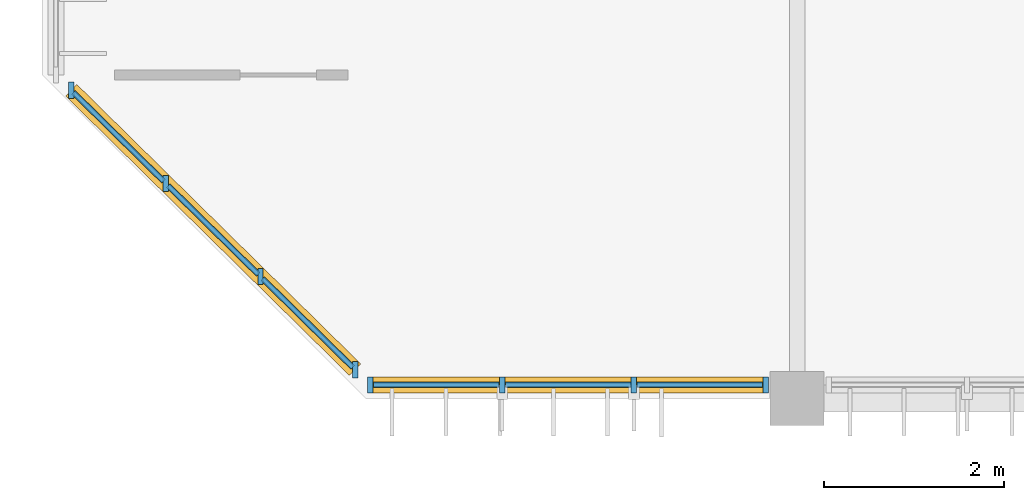
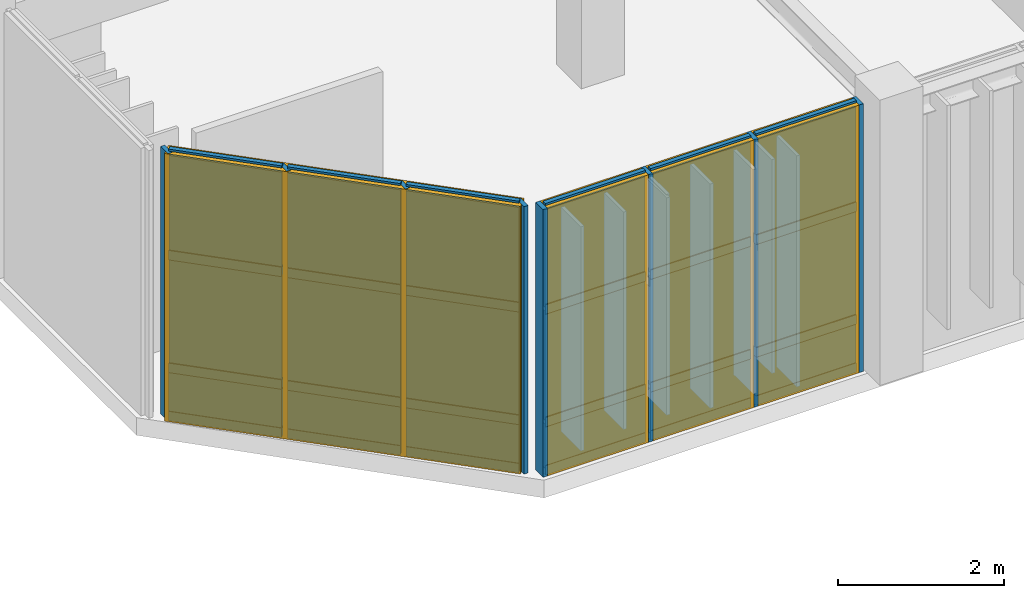
# One storey, part 66 of 122: 32 members, 18 plates, 2 curtain walls.
"""IFC4 building model written with IfcOpenShell, lengths in metres."""

from ifc_helpers import new_model, si_unit, direction, frame, frame_2d, origin, origin_2d, place, context, subcontext, project, spatial, rectangle, extrude, material, layer, layer_set, material_profile, profile_set, type_object, element, aggregate, save


model = new_model("IFC4")

# Units and contexts
model_context = context("Model", 3, precision=1e-05, world=origin(), true_north=direction((0.0, 1.0)))
body_context = subcontext(model_context, "Body", "Model", "MODEL_VIEW")
ifc_project = project(units=[si_unit("LENGTHUNIT", "METRE"), si_unit("AREAUNIT", "SQUARE_METRE"), si_unit("VOLUMEUNIT", "CUBIC_METRE"), si_unit("PLANEANGLEUNIT", "RADIAN"), si_unit("MASSUNIT", "GRAM", prefix="KILO")], contexts=[model_context])

# Member
ifc_material_1 = material(Name="Anodised Bronze Aluminium 6063-T6", Category="aluminium")
ifc_material_profile_1 = material_profile(ifc_material_1, rectangle(XDim=0.06005859375, YDim=0.179931640625, at=origin_2d()), Name="ALU MULLION 60x180")
ifc_profile_set_1 = profile_set([ifc_material_profile_1], Name="Anodised Bronze Aluminium 6063-T6")
member_type_1 = type_object("IfcMemberType", Name="Curtain-Wall Primary Mullion 60x180", PredefinedType="MULLION", material=ifc_profile_set_1)
site_placement = place(None, origin())
building_placement = place(site_placement, origin())
storey_placement = place(building_placement, frame((0.0, 0.0, 4.800048828125)))
member_1_placement = place(storey_placement, frame((6.050048828125, 44.75, 0.0), z_axis=(0.0, 0.0, 1.0), x_axis=(1.0, 0.0, 0.0)))
member_1 = element("IfcMember", 1, at=member_1_placement, type_object=member_type_1, Name="Mullion CWM-01 CW-V6-S-L01-B1-M01", PredefinedType="MULLION", context=body_context, shape_type="SweptSolid", body=[
    extrude(rectangle(XDim=0.06005859375, YDim=0.179931640625, at=origin_2d()), origin(), (0.0, 0.0, 1.0), 3.93994140625),
])

member_2_placement = place(storey_placement, frame((7.5166015625, 44.75, 0.0), z_axis=(0.0, 0.0, 1.0), x_axis=(1.0, 0.0, 0.0)))
member_2 = element("IfcMember", 2, at=member_2_placement, type_object=member_type_1, Name="Mullion CWM-01 CW-V6-S-L01-B1-M02", PredefinedType="MULLION", context=body_context, shape_type="SweptSolid", body=[
    extrude(rectangle(XDim=0.06005859375, YDim=0.179931640625, at=origin_2d()), origin(), (0.0, 0.0, 1.0), 3.93994140625),
])

member_3_placement = place(storey_placement, frame((8.9833984375, 44.75, 0.0), z_axis=(0.0, 0.0, 1.0), x_axis=(1.0, 0.0, 0.0)))
member_3 = element("IfcMember", 3, at=member_3_placement, type_object=member_type_1, Name="Mullion CWM-01 CW-V6-S-L01-B1-M03", PredefinedType="MULLION", context=body_context, shape_type="SweptSolid", body=[
    extrude(rectangle(XDim=0.06005859375, YDim=0.179931640625, at=origin_2d()), origin(), (0.0, 0.0, 1.0), 3.93994140625),
])

member_4_placement = place(storey_placement, frame((10.449951171875, 44.75, 0.0), z_axis=(0.0, 0.0, 1.0), x_axis=(1.0, 0.0, 0.0)))
member_4 = element("IfcMember", 4, at=member_4_placement, type_object=member_type_1, Name="Mullion CWM-01 CW-V6-S-L01-B1-M04", PredefinedType="MULLION", context=body_context, shape_type="SweptSolid", body=[
    extrude(rectangle(XDim=0.06005859375, YDim=0.179931640625, at=origin_2d()), origin(), (0.0, 0.0, 1.0), 3.93994140625),
])

member_5_placement = place(storey_placement, frame((2.719970703125, 48.030029296875, 0.0), z_axis=(0.0, 0.0, 1.0), x_axis=(1.0, 0.0, 0.0)))
member_5 = element("IfcMember", 5, at=member_5_placement, type_object=member_type_1, Name="Mullion CWM-01 CW-V6-SWCH-L01-M01", PredefinedType="MULLION", context=body_context, shape_type="SweptSolid", body=[
    extrude(rectangle(XDim=0.06005859375, YDim=0.179931640625, at=origin_2d()), origin(), (0.0, 0.0, 1.0), 3.93994140625),
])

member_6_placement = place(storey_placement, frame((3.773193359375, 46.993408203125, 0.0), z_axis=(0.0, 0.0, 1.0), x_axis=(1.0, 0.0, 0.0)))
member_6 = element("IfcMember", 6, at=member_6_placement, type_object=member_type_1, Name="Mullion CWM-01 CW-V6-SWCH-L01-M02", PredefinedType="MULLION", context=body_context, shape_type="SweptSolid", body=[
    extrude(rectangle(XDim=0.06005859375, YDim=0.179931640625, at=origin_2d()), origin(), (0.0, 0.0, 1.0), 3.93994140625),
])

member_7_placement = place(storey_placement, frame((4.82666015625, 45.956787109375, 0.0), z_axis=(0.0, 0.0, 1.0), x_axis=(1.0, 0.0, 0.0)))
member_7 = element("IfcMember", 7, at=member_7_placement, type_object=member_type_1, Name="Mullion CWM-01 CW-V6-SWCH-L01-M03", PredefinedType="MULLION", context=body_context, shape_type="SweptSolid", body=[
    extrude(rectangle(XDim=0.06005859375, YDim=0.179931640625, at=origin_2d()), origin(), (0.0, 0.0, 1.0), 3.93994140625),
])

member_8_placement = place(storey_placement, frame((5.8798828125, 44.919921875, 0.0), z_axis=(0.0, 0.0, 1.0), x_axis=(1.0, 0.0, 0.0)))
member_8 = element("IfcMember", 8, at=member_8_placement, type_object=member_type_1, Name="Mullion CWM-01 CW-V6-SWCH-L01-M04", PredefinedType="MULLION", context=body_context, shape_type="SweptSolid", body=[
    extrude(rectangle(XDim=0.06005859375, YDim=0.179931640625, at=origin_2d()), origin(), (0.0, 0.0, 1.0), 3.93994140625),
])

ifc_material_profile_2 = material_profile(ifc_material_1, rectangle(XDim=0.06005859375, YDim=0.139892578125, at=origin_2d()), Name="ALU TRANSOM 60x140")
ifc_profile_set_2 = profile_set([ifc_material_profile_2], Name="Anodised Bronze Aluminium 6063-T6")
member_type_2 = type_object("IfcMemberType", Name="Curtain-Wall Transom 60x140", PredefinedType="USERDEFINED", material=ifc_profile_set_2)
member_9_placement = place(storey_placement, frame((6.0849609375, 44.75, 0.0400390625), z_axis=(1.0, 0.0, 0.0), x_axis=(0.0, 1.0, 0.0)))
member_9 = element("IfcMember", 9, at=member_9_placement, type_object=member_type_2, Name="Transom CWT-01 CW-V6-S-L01-B1-T01.1", ObjectType="TRANSOM", PredefinedType="USERDEFINED", context=body_context, shape_type="SweptSolid", body=[
    extrude(rectangle(XDim=0.06005859375, YDim=0.139892578125, at=origin_2d()), origin(), (0.0, 0.0, 1.0), 1.396728515625),
])

member_10_placement = place(storey_placement, frame((6.0849609375, 44.75, 0.75), z_axis=(1.0, 0.0, 0.0), x_axis=(0.0, 1.0, 0.0)))
member_10 = element("IfcMember", 10, at=member_10_placement, type_object=member_type_2, Name="Transom CWT-01 CW-V6-S-L01-B1-T01.2", ObjectType="TRANSOM", PredefinedType="USERDEFINED", context=body_context, shape_type="SweptSolid", body=[
    extrude(rectangle(XDim=0.06005859375, YDim=0.139892578125, at=origin_2d()), origin(), (0.0, 0.0, 1.0), 1.396728515625),
])

member_11_placement = place(storey_placement, frame((6.0849609375, 44.75, 2.40869140625), z_axis=(1.0, 0.0, 0.0), x_axis=(0.0, 1.0, 0.0)))
member_11 = element("IfcMember", 11, at=member_11_placement, type_object=member_type_2, Name="Transom CWT-01 CW-V6-S-L01-B1-T01.3", ObjectType="TRANSOM", PredefinedType="USERDEFINED", context=body_context, shape_type="SweptSolid", body=[
    extrude(rectangle(XDim=0.06005859375, YDim=0.139892578125, at=origin_2d()), origin(), (0.0, 0.0, 1.0), 1.396728515625),
])

member_12_placement = place(storey_placement, frame((6.0849609375, 44.75, 3.89990234375), z_axis=(1.0, 0.0, 0.0), x_axis=(0.0, 1.0, 0.0)))
member_12 = element("IfcMember", 12, at=member_12_placement, type_object=member_type_2, Name="Transom CWT-01 CW-V6-S-L01-B1-T01.4", ObjectType="TRANSOM", PredefinedType="USERDEFINED", context=body_context, shape_type="SweptSolid", body=[
    extrude(rectangle(XDim=0.06005859375, YDim=0.139892578125, at=origin_2d()), origin(), (0.0, 0.0, 1.0), 1.396728515625),
])

member_13_placement = place(storey_placement, frame((7.5517578125, 44.75, 0.0400390625), z_axis=(1.0, 0.0, 0.0), x_axis=(0.0, 1.0, 0.0)))
member_13 = element("IfcMember", 13, at=member_13_placement, type_object=member_type_2, Name="Transom CWT-01 CW-V6-S-L01-B1-T02.1", ObjectType="TRANSOM", PredefinedType="USERDEFINED", context=body_context, shape_type="SweptSolid", body=[
    extrude(rectangle(XDim=0.06005859375, YDim=0.139892578125, at=origin_2d()), origin(), (0.0, 0.0, 1.0), 1.396484375),
])

member_14_placement = place(storey_placement, frame((7.5517578125, 44.75, 0.75), z_axis=(1.0, 0.0, 0.0), x_axis=(0.0, 1.0, 0.0)))
member_14 = element("IfcMember", 14, at=member_14_placement, type_object=member_type_2, Name="Transom CWT-01 CW-V6-S-L01-B1-T02.2", ObjectType="TRANSOM", PredefinedType="USERDEFINED", context=body_context, shape_type="SweptSolid", body=[
    extrude(rectangle(XDim=0.06005859375, YDim=0.139892578125, at=origin_2d()), origin(), (0.0, 0.0, 1.0), 1.396484375),
])

member_15_placement = place(storey_placement, frame((7.5517578125, 44.75, 2.40869140625), z_axis=(1.0, 0.0, 0.0), x_axis=(0.0, 1.0, 0.0)))
member_15 = element("IfcMember", 15, at=member_15_placement, type_object=member_type_2, Name="Transom CWT-01 CW-V6-S-L01-B1-T02.3", ObjectType="TRANSOM", PredefinedType="USERDEFINED", context=body_context, shape_type="SweptSolid", body=[
    extrude(rectangle(XDim=0.06005859375, YDim=0.139892578125, at=origin_2d()), origin(), (0.0, 0.0, 1.0), 1.396484375),
])

member_16_placement = place(storey_placement, frame((7.5517578125, 44.75, 3.89990234375), z_axis=(1.0, 0.0, 0.0), x_axis=(0.0, 1.0, 0.0)))
member_16 = element("IfcMember", 16, at=member_16_placement, type_object=member_type_2, Name="Transom CWT-01 CW-V6-S-L01-B1-T02.4", ObjectType="TRANSOM", PredefinedType="USERDEFINED", context=body_context, shape_type="SweptSolid", body=[
    extrude(rectangle(XDim=0.06005859375, YDim=0.139892578125, at=origin_2d()), origin(), (0.0, 0.0, 1.0), 1.396484375),
])

member_17_placement = place(storey_placement, frame((9.018310546875, 44.75, 0.0400390625), z_axis=(1.0, 0.0, 0.0), x_axis=(0.0, 1.0, 0.0)))
member_17 = element("IfcMember", 17, at=member_17_placement, type_object=member_type_2, Name="Transom CWT-01 CW-V6-S-L01-B1-T03.1", ObjectType="TRANSOM", PredefinedType="USERDEFINED", context=body_context, shape_type="SweptSolid", body=[
    extrude(rectangle(XDim=0.06005859375, YDim=0.139892578125, at=origin_2d()), origin(), (0.0, 0.0, 1.0), 1.396728515625),
])

member_18_placement = place(storey_placement, frame((9.018310546875, 44.75, 0.75), z_axis=(1.0, 0.0, 0.0), x_axis=(0.0, 1.0, 0.0)))
member_18 = element("IfcMember", 18, at=member_18_placement, type_object=member_type_2, Name="Transom CWT-01 CW-V6-S-L01-B1-T03.2", ObjectType="TRANSOM", PredefinedType="USERDEFINED", context=body_context, shape_type="SweptSolid", body=[
    extrude(rectangle(XDim=0.06005859375, YDim=0.139892578125, at=origin_2d()), origin(), (0.0, 0.0, 1.0), 1.396728515625),
])

member_19_placement = place(storey_placement, frame((9.018310546875, 44.75, 2.40869140625), z_axis=(1.0, 0.0, 0.0), x_axis=(0.0, 1.0, 0.0)))
member_19 = element("IfcMember", 19, at=member_19_placement, type_object=member_type_2, Name="Transom CWT-01 CW-V6-S-L01-B1-T03.3", ObjectType="TRANSOM", PredefinedType="USERDEFINED", context=body_context, shape_type="SweptSolid", body=[
    extrude(rectangle(XDim=0.06005859375, YDim=0.139892578125, at=origin_2d()), origin(), (0.0, 0.0, 1.0), 1.396728515625),
])

member_20_placement = place(storey_placement, frame((9.018310546875, 44.75, 3.89990234375), z_axis=(1.0, 0.0, 0.0), x_axis=(0.0, 1.0, 0.0)))
member_20 = element("IfcMember", 20, at=member_20_placement, type_object=member_type_2, Name="Transom CWT-01 CW-V6-S-L01-B1-T03.4", ObjectType="TRANSOM", PredefinedType="USERDEFINED", context=body_context, shape_type="SweptSolid", body=[
    extrude(rectangle(XDim=0.06005859375, YDim=0.139892578125, at=origin_2d()), origin(), (0.0, 0.0, 1.0), 1.396728515625),
])

member_21_placement = place(storey_placement, frame((2.744873046875, 48.00537109375, 0.0400390625), z_axis=(0.712720186233, -0.701448455794, 0.0), x_axis=(0.701448455794, 0.712720186233, 0.0)))
member_21 = element("IfcMember", 21, at=member_21_placement, type_object=member_type_2, Name="Transom CWT-01 CW-V6-SWCH-L01-T01.1", ObjectType="TRANSOM", PredefinedType="USERDEFINED", context=body_context, shape_type="SweptSolid", body=[
    extrude(rectangle(XDim=0.06005859375, YDim=0.139892578125, at=origin_2d()), origin(), (0.0, 0.0, 1.0), 1.407958984375),
])

member_22_placement = place(storey_placement, frame((2.744873046875, 48.00537109375, 0.75), z_axis=(0.712720186233, -0.701448455794, 0.0), x_axis=(0.701448455794, 0.712720186233, 0.0)))
member_22 = element("IfcMember", 22, at=member_22_placement, type_object=member_type_2, Name="Transom CWT-01 CW-V6-SWCH-L01-T01.2", ObjectType="TRANSOM", PredefinedType="USERDEFINED", context=body_context, shape_type="SweptSolid", body=[
    extrude(rectangle(XDim=0.06005859375, YDim=0.139892578125, at=origin_2d()), origin(), (0.0, 0.0, 1.0), 1.407958984375),
])

member_23_placement = place(storey_placement, frame((2.744873046875, 48.00537109375, 2.40869140625), z_axis=(0.712720186233, -0.701448455794, 0.0), x_axis=(0.701448455794, 0.712720186233, 0.0)))
member_23 = element("IfcMember", 23, at=member_23_placement, type_object=member_type_2, Name="Transom CWT-01 CW-V6-SWCH-L01-T01.3", ObjectType="TRANSOM", PredefinedType="USERDEFINED", context=body_context, shape_type="SweptSolid", body=[
    extrude(rectangle(XDim=0.06005859375, YDim=0.139892578125, at=origin_2d()), origin(), (0.0, 0.0, 1.0), 1.407958984375),
])

member_24_placement = place(storey_placement, frame((2.744873046875, 48.00537109375, 3.89990234375), z_axis=(0.712720186233, -0.701448455794, 0.0), x_axis=(0.701448455794, 0.712720186233, 0.0)))
member_24 = element("IfcMember", 24, at=member_24_placement, type_object=member_type_2, Name="Transom CWT-01 CW-V6-SWCH-L01-T01.4", ObjectType="TRANSOM", PredefinedType="USERDEFINED", context=body_context, shape_type="SweptSolid", body=[
    extrude(rectangle(XDim=0.06005859375, YDim=0.139892578125, at=origin_2d()), origin(), (0.0, 0.0, 1.0), 1.407958984375),
])

member_25_placement = place(storey_placement, frame((3.79833984375, 46.96875, 0.0400390625), z_axis=(0.712720186233, -0.701448455794, 0.0), x_axis=(0.701448455794, 0.712720186233, 0.0)))
member_25 = element("IfcMember", 25, at=member_25_placement, type_object=member_type_2, Name="Transom CWT-01 CW-V6-SWCH-L01-T02.1", ObjectType="TRANSOM", PredefinedType="USERDEFINED", context=body_context, shape_type="SweptSolid", body=[
    extrude(rectangle(XDim=0.06005859375, YDim=0.139892578125, at=origin_2d()), origin(), (0.0, 0.0, 1.0), 1.407958984375),
])

member_26_placement = place(storey_placement, frame((3.79833984375, 46.96875, 0.75), z_axis=(0.712720186233, -0.701448455794, 0.0), x_axis=(0.701448455794, 0.712720186233, 0.0)))
member_26 = element("IfcMember", 26, at=member_26_placement, type_object=member_type_2, Name="Transom CWT-01 CW-V6-SWCH-L01-T02.2", ObjectType="TRANSOM", PredefinedType="USERDEFINED", context=body_context, shape_type="SweptSolid", body=[
    extrude(rectangle(XDim=0.06005859375, YDim=0.139892578125, at=origin_2d()), origin(), (0.0, 0.0, 1.0), 1.407958984375),
])

member_27_placement = place(storey_placement, frame((3.79833984375, 46.96875, 2.40869140625), z_axis=(0.712720186233, -0.701448455794, 0.0), x_axis=(0.701448455794, 0.712720186233, 0.0)))
member_27 = element("IfcMember", 27, at=member_27_placement, type_object=member_type_2, Name="Transom CWT-01 CW-V6-SWCH-L01-T02.3", ObjectType="TRANSOM", PredefinedType="USERDEFINED", context=body_context, shape_type="SweptSolid", body=[
    extrude(rectangle(XDim=0.06005859375, YDim=0.139892578125, at=origin_2d()), origin(), (0.0, 0.0, 1.0), 1.407958984375),
])

member_28_placement = place(storey_placement, frame((3.79833984375, 46.96875, 3.89990234375), z_axis=(0.712720186233, -0.701448455794, 0.0), x_axis=(0.701448455794, 0.712720186233, 0.0)))
member_28 = element("IfcMember", 28, at=member_28_placement, type_object=member_type_2, Name="Transom CWT-01 CW-V6-SWCH-L01-T02.4", ObjectType="TRANSOM", PredefinedType="USERDEFINED", context=body_context, shape_type="SweptSolid", body=[
    extrude(rectangle(XDim=0.06005859375, YDim=0.139892578125, at=origin_2d()), origin(), (0.0, 0.0, 1.0), 1.407958984375),
])

member_29_placement = place(storey_placement, frame((4.8515625, 45.93212890625, 0.0400390625), z_axis=(0.712720186233, -0.701448455794, 0.0), x_axis=(0.701448455794, 0.712720186233, 0.0)))
member_29 = element("IfcMember", 29, at=member_29_placement, type_object=member_type_2, Name="Transom CWT-01 CW-V6-SWCH-L01-T03.1", ObjectType="TRANSOM", PredefinedType="USERDEFINED", context=body_context, shape_type="SweptSolid", body=[
    extrude(rectangle(XDim=0.06005859375, YDim=0.139892578125, at=origin_2d()), origin(), (0.0, 0.0, 1.0), 1.407958984375),
])

member_30_placement = place(storey_placement, frame((4.8515625, 45.93212890625, 0.75), z_axis=(0.712720186233, -0.701448455794, 0.0), x_axis=(0.701448455794, 0.712720186233, 0.0)))
member_30 = element("IfcMember", 30, at=member_30_placement, type_object=member_type_2, Name="Transom CWT-01 CW-V6-SWCH-L01-T03.2", ObjectType="TRANSOM", PredefinedType="USERDEFINED", context=body_context, shape_type="SweptSolid", body=[
    extrude(rectangle(XDim=0.06005859375, YDim=0.139892578125, at=origin_2d()), origin(), (0.0, 0.0, 1.0), 1.407958984375),
])

member_31_placement = place(storey_placement, frame((4.8515625, 45.93212890625, 2.40869140625), z_axis=(0.712720186233, -0.701448455794, 0.0), x_axis=(0.701448455794, 0.712720186233, 0.0)))
member_31 = element("IfcMember", 31, at=member_31_placement, type_object=member_type_2, Name="Transom CWT-01 CW-V6-SWCH-L01-T03.3", ObjectType="TRANSOM", PredefinedType="USERDEFINED", context=body_context, shape_type="SweptSolid", body=[
    extrude(rectangle(XDim=0.06005859375, YDim=0.139892578125, at=origin_2d()), origin(), (0.0, 0.0, 1.0), 1.407958984375),
])

member_32_placement = place(storey_placement, frame((4.8515625, 45.93212890625, 3.89990234375), z_axis=(0.712720186233, -0.701448455794, 0.0), x_axis=(0.701448455794, 0.712720186233, 0.0)))
member_32 = element("IfcMember", 32, at=member_32_placement, type_object=member_type_2, Name="Transom CWT-01 CW-V6-SWCH-L01-T03.4", ObjectType="TRANSOM", PredefinedType="USERDEFINED", context=body_context, shape_type="SweptSolid", body=[
    extrude(rectangle(XDim=0.06005859375, YDim=0.139892578125, at=origin_2d()), origin(), (0.0, 0.0, 1.0), 1.407958984375),
])

# Plate
ifc_material_2 = material(Name="Insulated Bronze Aluminium Spandrel Panel", Category="aluminium")
ifc_layer_1 = layer(ifc_material_2, 0.050048828125, Name="Insulated Bronze Aluminium Spandrel Panel")
ifc_layer_set_1 = layer_set([ifc_layer_1], Name="Insulated Bronze Aluminium Spandrel Panel")
plate_type_1 = type_object("IfcPlateType", Name="Insulated Anodised Aluminium Spandrel Cassette 50", PredefinedType="CURTAIN_PANEL", material=ifc_layer_set_1)
plate_1_placement = place(storey_placement, frame((6.783203125, 44.75, 0.070068359375), z_axis=(0.0, 0.0, 1.0), x_axis=(1.0, 0.0, 0.0)))
plate_1 = element("IfcPlate", 33, at=plate_1_placement, type_object=plate_type_1, Name="Curtain Panel CWP-03 CW-V6-S-L01-B1-P01.1", PredefinedType="CURTAIN_PANEL", context=body_context, shape_type="SweptSolid", body=[
    extrude(rectangle(XDim=1.396728515625, YDim=0.050048828125, at=origin_2d()), origin(), (0.0, 0.0, 1.0), 0.64990234375),
])

plate_2_placement = place(storey_placement, frame((8.25, 44.75, 0.070068359375), z_axis=(0.0, 0.0, 1.0), x_axis=(1.0, 0.0, 0.0)))
plate_2 = element("IfcPlate", 34, at=plate_2_placement, type_object=plate_type_1, Name="Curtain Panel CWP-03 CW-V6-S-L01-B1-P02.1", PredefinedType="CURTAIN_PANEL", context=body_context, shape_type="SweptSolid", body=[
    extrude(rectangle(XDim=1.396728515625, YDim=0.050048828125, at=origin_2d()), origin(), (0.0, 0.0, 1.0), 0.64990234375),
])

plate_3_placement = place(storey_placement, frame((9.716796875, 44.75, 0.070068359375), z_axis=(0.0, 0.0, 1.0), x_axis=(1.0, 0.0, 0.0)))
plate_3 = element("IfcPlate", 35, at=plate_3_placement, type_object=plate_type_1, Name="Curtain Panel CWP-03 CW-V6-S-L01-B1-P03.1", PredefinedType="CURTAIN_PANEL", context=body_context, shape_type="SweptSolid", body=[
    extrude(rectangle(XDim=1.396728515625, YDim=0.050048828125, at=origin_2d()), origin(), (0.0, 0.0, 1.0), 0.64990234375),
])

plate_4_placement = place(storey_placement, frame((3.24658203125, 47.51171875, 0.070068359375), z_axis=(0.0, 0.0, 1.0), x_axis=(0.712722997586, -0.701445599253, 0.0)))
plate_4 = element("IfcPlate", 36, at=plate_4_placement, type_object=plate_type_1, Name="Curtain Panel CWP-03 CW-V6-SWCH-L01-P01.1", PredefinedType="CURTAIN_PANEL", context=body_context, shape_type="SweptSolid", body=[
    extrude(rectangle(XDim=1.407958984375, YDim=0.050048828125, at=origin_2d()), origin(), (0.0, 0.0, 1.0), 0.64990234375),
])

plate_5_placement = place(storey_placement, frame((4.300048828125, 46.47509765625, 0.070068359375), z_axis=(0.0, 0.0, 1.0), x_axis=(0.712722997586, -0.701445599253, 0.0)))
plate_5 = element("IfcPlate", 37, at=plate_5_placement, type_object=plate_type_1, Name="Curtain Panel CWP-03 CW-V6-SWCH-L01-P02.1", PredefinedType="CURTAIN_PANEL", context=body_context, shape_type="SweptSolid", body=[
    extrude(rectangle(XDim=1.407958984375, YDim=0.050048828125, at=origin_2d()), origin(), (0.0, 0.0, 1.0), 0.64990234375),
])

plate_6_placement = place(storey_placement, frame((5.353271484375, 45.438232421875, 0.070068359375), z_axis=(0.0, 0.0, 1.0), x_axis=(0.712722997586, -0.701445599253, 0.0)))
plate_6 = element("IfcPlate", 38, at=plate_6_placement, type_object=plate_type_1, Name="Curtain Panel CWP-03 CW-V6-SWCH-L01-P03.1", PredefinedType="CURTAIN_PANEL", context=body_context, shape_type="SweptSolid", body=[
    extrude(rectangle(XDim=1.407958984375, YDim=0.050048828125, at=origin_2d()), origin(), (0.0, 0.0, 1.0), 0.64990234375),
])

ifc_material_3 = material(Name="Solar-Control Tempered Double Glazing", Category="glass")
ifc_layer_2 = layer(ifc_material_3, 0.0380859375, Name="Solar-Control Tempered Double Glazing")
ifc_layer_set_2 = layer_set([ifc_layer_2], Name="Solar-Control Tempered Double Glazing")
plate_type_2 = type_object("IfcPlateType", Name="Solar-Control Vision Glazing Unit 38", PredefinedType="CURTAIN_PANEL", material=ifc_layer_set_2)
plate_7_placement = place(storey_placement, frame((6.783203125, 44.75, 0.77978515625), z_axis=(0.0, 0.0, 1.0), x_axis=(1.0, 0.0, 0.0)))
plate_7 = element("IfcPlate", 39, at=plate_7_placement, type_object=plate_type_2, Name="Curtain Panel CWP-02 CW-V6-S-L01-B1-P01.2", PredefinedType="CURTAIN_PANEL", context=body_context, shape_type="SweptSolid", body=[
    extrude(rectangle(XDim=1.396728515625, YDim=0.0380859375, at=origin_2d()), origin(), (0.0, 0.0, 1.0), 1.598876953125),
])

plate_8_placement = place(storey_placement, frame((6.783203125, 44.75, 2.438720703125), z_axis=(0.0, 0.0, 1.0), x_axis=(1.0, 0.0, 0.0)))
plate_8 = element("IfcPlate", 40, at=plate_8_placement, type_object=plate_type_2, Name="Curtain Panel CWP-02 CW-V6-S-L01-B1-P01.3", PredefinedType="CURTAIN_PANEL", context=body_context, shape_type="SweptSolid", body=[
    extrude(rectangle(XDim=1.396728515625, YDim=0.0380859375, at=origin_2d()), origin(), (0.0, 0.0, 1.0), 1.43115234375),
])

plate_9_placement = place(storey_placement, frame((8.25, 44.75, 0.77978515625), z_axis=(0.0, 0.0, 1.0), x_axis=(1.0, 0.0, 0.0)))
plate_9 = element("IfcPlate", 41, at=plate_9_placement, type_object=plate_type_2, Name="Curtain Panel CWP-02 CW-V6-S-L01-B1-P02.2", PredefinedType="CURTAIN_PANEL", context=body_context, shape_type="SweptSolid", body=[
    extrude(rectangle(XDim=1.396728515625, YDim=0.0380859375, at=origin_2d()), origin(), (0.0, 0.0, 1.0), 1.598876953125),
])

plate_10_placement = place(storey_placement, frame((8.25, 44.75, 2.438720703125), z_axis=(0.0, 0.0, 1.0), x_axis=(1.0, 0.0, 0.0)))
plate_10 = element("IfcPlate", 42, at=plate_10_placement, type_object=plate_type_2, Name="Curtain Panel CWP-02 CW-V6-S-L01-B1-P02.3", PredefinedType="CURTAIN_PANEL", context=body_context, shape_type="SweptSolid", body=[
    extrude(rectangle(XDim=1.396728515625, YDim=0.0380859375, at=origin_2d()), origin(), (0.0, 0.0, 1.0), 1.43115234375),
])

plate_11_placement = place(storey_placement, frame((9.716796875, 44.75, 0.77978515625), z_axis=(0.0, 0.0, 1.0), x_axis=(1.0, 0.0, 0.0)))
plate_11 = element("IfcPlate", 43, at=plate_11_placement, type_object=plate_type_2, Name="Curtain Panel CWP-02 CW-V6-S-L01-B1-P03.2", PredefinedType="CURTAIN_PANEL", context=body_context, shape_type="SweptSolid", body=[
    extrude(rectangle(XDim=1.396728515625, YDim=0.0380859375, at=origin_2d()), origin(), (0.0, 0.0, 1.0), 1.598876953125),
])

plate_12_placement = place(storey_placement, frame((9.716796875, 44.75, 2.438720703125), z_axis=(0.0, 0.0, 1.0), x_axis=(1.0, 0.0, 0.0)))
plate_12 = element("IfcPlate", 44, at=plate_12_placement, type_object=plate_type_2, Name="Curtain Panel CWP-02 CW-V6-S-L01-B1-P03.3", PredefinedType="CURTAIN_PANEL", context=body_context, shape_type="SweptSolid", body=[
    extrude(rectangle(XDim=1.396728515625, YDim=0.0380859375, at=origin_2d()), origin(), (0.0, 0.0, 1.0), 1.43115234375),
])

plate_13_placement = place(storey_placement, frame((3.24658203125, 47.51171875, 0.77978515625), z_axis=(0.0, 0.0, 1.0), x_axis=(0.712722997586, -0.701445599253, 0.0)))
plate_13 = element("IfcPlate", 45, at=plate_13_placement, type_object=plate_type_2, Name="Curtain Panel CWP-02 CW-V6-SWCH-L01-P01.2", PredefinedType="CURTAIN_PANEL", context=body_context, shape_type="SweptSolid", body=[
    extrude(rectangle(XDim=1.407958984375, YDim=0.0380859375, at=origin_2d()), origin(), (0.0, 0.0, 1.0), 1.598876953125),
])

plate_14_placement = place(storey_placement, frame((3.24658203125, 47.51171875, 2.438720703125), z_axis=(0.0, 0.0, 1.0), x_axis=(0.712722997586, -0.701445599253, 0.0)))
plate_14 = element("IfcPlate", 46, at=plate_14_placement, type_object=plate_type_2, Name="Curtain Panel CWP-02 CW-V6-SWCH-L01-P01.3", PredefinedType="CURTAIN_PANEL", context=body_context, shape_type="SweptSolid", body=[
    extrude(rectangle(XDim=1.407958984375, YDim=0.0380859375, at=origin_2d()), origin(), (0.0, 0.0, 1.0), 1.43115234375),
])

plate_15_placement = place(storey_placement, frame((4.300048828125, 46.47509765625, 0.77978515625), z_axis=(0.0, 0.0, 1.0), x_axis=(0.712722997586, -0.701445599253, 0.0)))
plate_15 = element("IfcPlate", 47, at=plate_15_placement, type_object=plate_type_2, Name="Curtain Panel CWP-02 CW-V6-SWCH-L01-P02.2", PredefinedType="CURTAIN_PANEL", context=body_context, shape_type="SweptSolid", body=[
    extrude(rectangle(XDim=1.407958984375, YDim=0.0380859375, at=origin_2d()), origin(), (0.0, 0.0, 1.0), 1.598876953125),
])

plate_16_placement = place(storey_placement, frame((4.300048828125, 46.47509765625, 2.438720703125), z_axis=(0.0, 0.0, 1.0), x_axis=(0.712722997586, -0.701445599253, 0.0)))
plate_16 = element("IfcPlate", 48, at=plate_16_placement, type_object=plate_type_2, Name="Curtain Panel CWP-02 CW-V6-SWCH-L01-P02.3", PredefinedType="CURTAIN_PANEL", context=body_context, shape_type="SweptSolid", body=[
    extrude(rectangle(XDim=1.407958984375, YDim=0.0380859375, at=origin_2d()), origin(), (0.0, 0.0, 1.0), 1.43115234375),
])

plate_17_placement = place(storey_placement, frame((5.353271484375, 45.438232421875, 0.77978515625), z_axis=(0.0, 0.0, 1.0), x_axis=(0.712722997586, -0.701445599253, 0.0)))
plate_17 = element("IfcPlate", 49, at=plate_17_placement, type_object=plate_type_2, Name="Curtain Panel CWP-02 CW-V6-SWCH-L01-P03.2", PredefinedType="CURTAIN_PANEL", context=body_context, shape_type="SweptSolid", body=[
    extrude(rectangle(XDim=1.407958984375, YDim=0.0380859375, at=origin_2d()), origin(), (0.0, 0.0, 1.0), 1.598876953125),
])

plate_18_placement = place(storey_placement, frame((5.353271484375, 45.438232421875, 2.438720703125), z_axis=(0.0, 0.0, 1.0), x_axis=(0.712722997586, -0.701445599253, 0.0)))
plate_18 = element("IfcPlate", 50, at=plate_18_placement, type_object=plate_type_2, Name="Curtain Panel CWP-02 CW-V6-SWCH-L01-P03.3", PredefinedType="CURTAIN_PANEL", context=body_context, shape_type="SweptSolid", body=[
    extrude(rectangle(XDim=1.407958984375, YDim=0.0380859375, at=origin_2d()), origin(), (0.0, 0.0, 1.0), 1.43115234375),
])

# Site, building, storey
site = spatial("IfcSite", under=ifc_project, at=site_placement, CompositionType="ELEMENT")
building = spatial("IfcBuilding", under=site, at=building_placement, Name="Tazoul Stagehouse", CompositionType="ELEMENT")
storey = spatial("IfcBuildingStorey", under=building, at=storey_placement, Name="L01", CompositionType="ELEMENT", Elevation=4.800048828125)

# Curtain wall
curtain_wall_type_1 = type_object("IfcCurtainWallType", Name="Crescent Double-Skin Acoustic Curtain Wall", PredefinedType="NOTDEFINED", material=ifc_material_1)
curtain_wall_1_placement = place(storey_placement, frame((2.719970703125, 48.030029296875, 0.0), z_axis=(0.0, 0.0, 1.0), x_axis=(0.712701063165, -0.701467885626, 0.0)))
curtain_wall_1 = element("IfcCurtainWall", 51, at=curtain_wall_1_placement, inside=storey, type_object=curtain_wall_type_1, Name="L01 Curtain Wall CW-01 (CW-V6-SWCH-L01)", PredefinedType="NOTDEFINED", context=body_context, shape_type="SweptSolid", body=[
    extrude(rectangle(XDim=4.43359375, YDim=0.179931640625, at=frame_2d((2.216796875, 0.0))), origin(), (0.0, 0.0, 1.0), 3.93994140625),
])

aggregate(curtain_wall_1, [member_5, member_6, member_7, member_8, member_21, member_22, member_23, member_24, plate_4, plate_13, plate_14, member_25, member_26, member_27, member_28, plate_5, plate_15, plate_16, member_29, member_30, member_31, member_32, plate_6, plate_17, plate_18])

curtain_wall_type_2 = type_object("IfcCurtainWallType", Name="Foyer Clear Solar-Control Curtain Wall", PredefinedType="NOTDEFINED", material=ifc_material_1)
curtain_wall_2_placement = place(storey_placement, frame((6.050048828125, 44.75, 0.0), z_axis=(0.0, 0.0, 1.0), x_axis=(1.0, 0.0, 0.0)))
curtain_wall_2 = element("IfcCurtainWall", 52, at=curtain_wall_2_placement, inside=storey, type_object=curtain_wall_type_2, Name="L01 Curtain Wall CW-02 (CW-V6-S-L01-B1)", PredefinedType="NOTDEFINED", context=body_context, shape_type="SweptSolid", body=[
    extrude(rectangle(XDim=4.39990234375, YDim=0.179931640625, at=frame_2d((2.199951171875, 0.0))), origin(), (0.0, 0.0, 1.0), 3.93994140625),
])

aggregate(curtain_wall_2, [member_1, member_2, member_3, member_4, member_9, member_10, member_11, member_12, plate_1, plate_7, plate_8, member_13, member_14, member_15, member_16, plate_2, plate_9, plate_10, member_17, member_18, member_19, member_20, plate_3, plate_11, plate_12])

save(model, "model.ifc")
